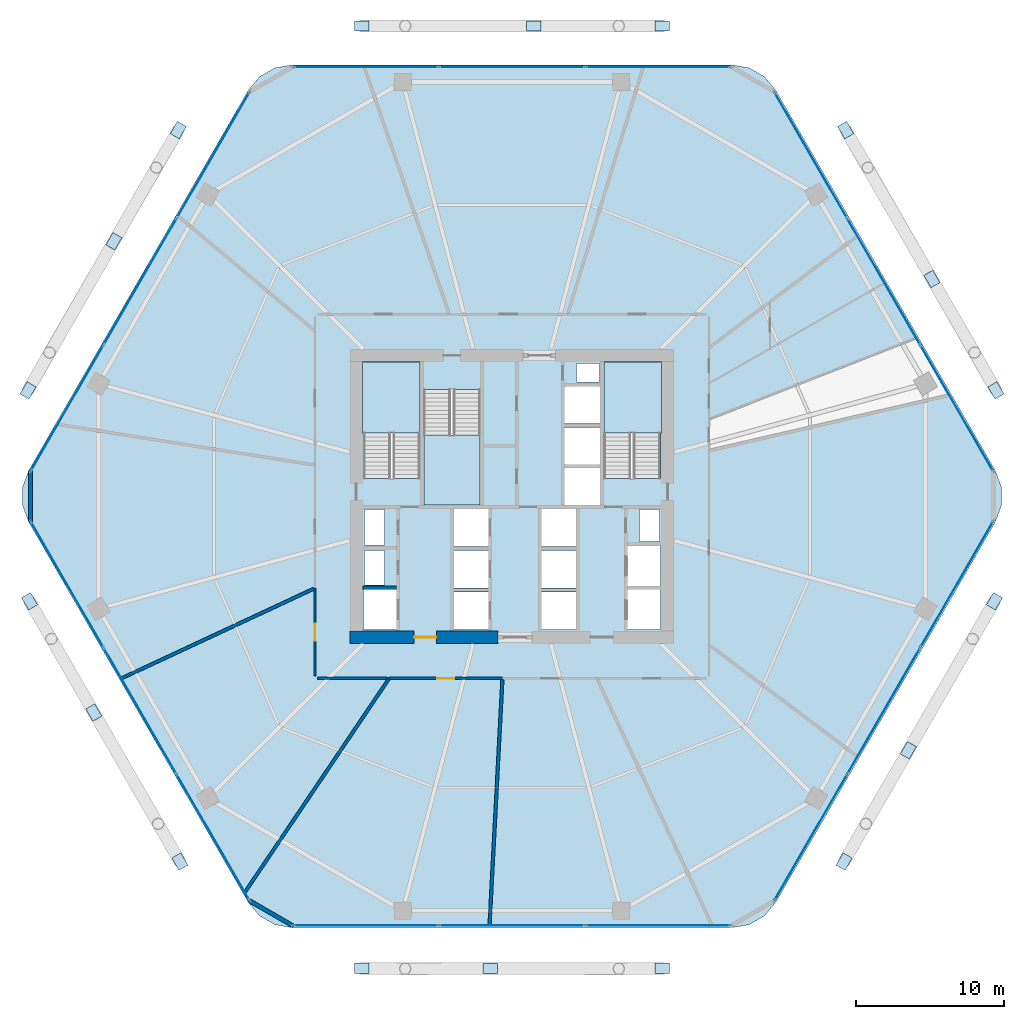
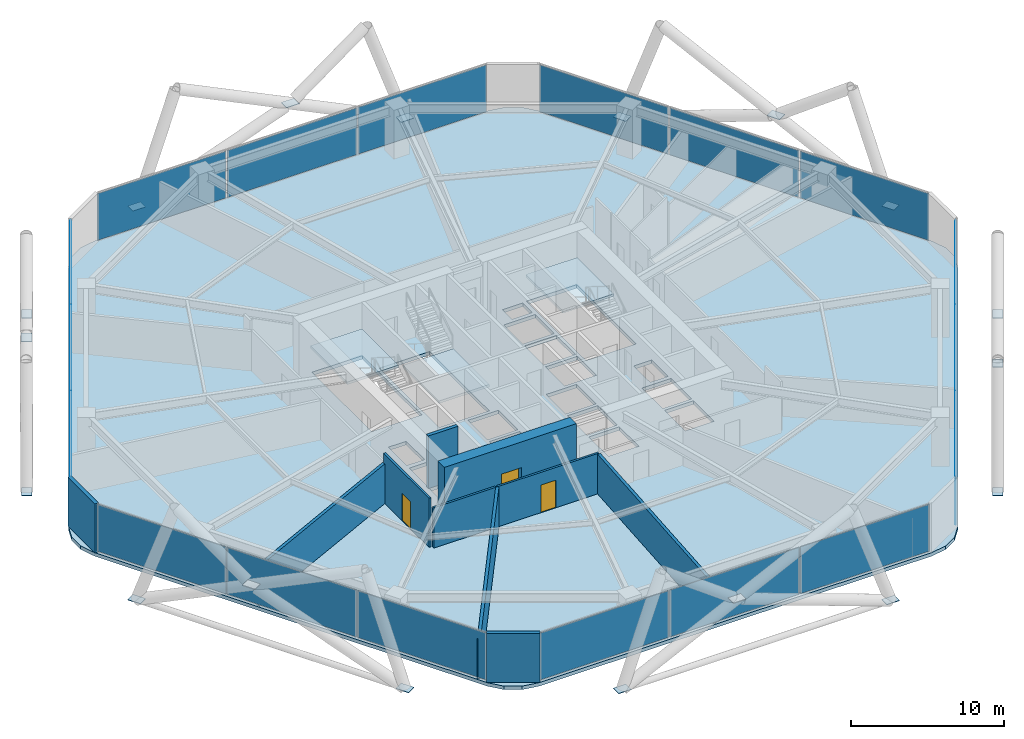
# One storey, part 25 of 29: 36 plates, 10 walls, 4 slabs, 3 doors, 3 openings, 9 elements without a shape of their own.
"""IFC4 building model written with IfcOpenShell, lengths in metres."""

from ifc_helpers import new_model, si_unit, direction, frame, frame_2d, origin, origin_2d, place, context, subcontext, project, spatial, polyline, rectangle, outline, extrude, material, layer, layer_set, type_object, element, fill, aggregate, save


model = new_model("IFC4")

# Units and contexts
model_context = context("Model", 3, precision=1e-05, world=origin(), true_north=direction((0.0, 1.0)))
body_context = subcontext(model_context, "Body", "Model", "MODEL_VIEW")
ifc_project = project(units=[si_unit("LENGTHUNIT", "METRE"), si_unit("AREAUNIT", "SQUARE_METRE"), si_unit("VOLUMEUNIT", "CUBIC_METRE"), si_unit("PLANEANGLEUNIT", "RADIAN"), si_unit("MASSUNIT", "GRAM", prefix="KILO")], contexts=[model_context])

# Site, building, storey
site_placement = place(None, origin())
site = spatial("IfcSite", under=ifc_project, at=site_placement, CompositionType="ELEMENT")
building_placement = place(site_placement, origin())
building = spatial("IfcBuilding", under=site, at=building_placement, Name="Zuhravey Tower", CompositionType="ELEMENT")
storey_placement = place(building_placement, frame((0.0, 0.0, 41.39990234375)))
storey = spatial("IfcBuildingStorey", under=building, at=storey_placement, Name="L10", CompositionType="ELEMENT", Elevation=41.39990234375)

# Curtain wall, plates
ifc_material_1 = material(Name="Thermally broken anodised aluminium", Category="aluminium")
curtain_wall_type = type_object("IfcCurtainWallType", Name="School Low-E Unitised Curtain Wall CW1", PredefinedType="NOTDEFINED", material=ifc_material_1)
curtain_wall_1_placement = place(storey_placement, origin())
curtain_wall_1 = element("IfcCurtainWall", 1, at=curtain_wall_1_placement, inside=storey, type_object=curtain_wall_type, Name="L10 CW1 CW-L10-F6-1", PredefinedType="NOTDEFINED")
ifc_material_2 = material(Name="Laminated acoustic low-E vision glass", Category="glass")
ifc_layer_1 = layer(ifc_material_2, 0.048095703125)
ifc_layer_set_1 = layer_set([ifc_layer_1], Name="Laminated acoustic low-E vision glass")
plate_type_1 = type_object("IfcPlateType", Name="Acoustic School Vision Panel", PredefinedType="CURTAIN_PANEL", material=ifc_layer_set_1)
plate_1_placement = place(storey_placement, frame((66.000732421875, 26.045654296875, 0.09033203125), z_axis=(0.0, 0.0, 1.0), x_axis=(-0.499999794119, -0.86602552265, 0.0)))
plate_1 = element("IfcPlate", 2, at=plate_1_placement, type_object=plate_type_1, Name="CW1 panel 1.1", PredefinedType="CURTAIN_PANEL", context=body_context, shape_type="SweptSolid", body=[
    extrude(rectangle(XDim=9.7314453125, YDim=0.048095703125, at=origin_2d()), origin(), (0.0, 0.0, 1.0), 3.739990234375),
])
plate_2_placement = place(storey_placement, frame((61.078857421875, 17.520751953125, 0.09033203125), z_axis=(0.0, 0.0, 1.0), x_axis=(-0.499999794119, -0.86602552265, 0.0)))
plate_2 = element("IfcPlate", 3, at=plate_2_placement, type_object=plate_type_1, Name="CW1 panel 2.1", PredefinedType="CURTAIN_PANEL", context=body_context, shape_type="SweptSolid", body=[
    extrude(rectangle(XDim=9.7763671875, YDim=0.048095703125, at=origin_2d()), origin(), (0.0, 0.0, 1.0), 3.739990234375),
])
plate_3_placement = place(storey_placement, frame((56.15673828125, 8.995849609375, 0.09033203125), z_axis=(0.0, 0.0, 1.0), x_axis=(-0.499999794119, -0.86602552265, 0.0)))
plate_3 = element("IfcPlate", 4, at=plate_3_placement, type_object=plate_type_1, Name="CW1 panel 3.1", PredefinedType="CURTAIN_PANEL", context=body_context, shape_type="SweptSolid", body=[
    extrude(rectangle(XDim=9.7314453125, YDim=0.048095703125, at=origin_2d()), origin(), (0.0, 0.0, 1.0), 3.739990234375),
])
aggregate(curtain_wall_1, [plate_1, plate_2, plate_3])

curtain_wall_2_placement = place(storey_placement, origin())
curtain_wall_2 = element("IfcCurtainWall", 5, at=curtain_wall_2_placement, inside=storey, type_object=curtain_wall_type, Name="L10 CW1 CW-L10-F5-1", PredefinedType="NOTDEFINED")
plate_4_placement = place(storey_placement, frame((45.84375, 3.04150390625, 0.09033203125), z_axis=(0.0, 0.0, 1.0), x_axis=(-1.0, 0.0, 0.0)))
plate_4 = element("IfcPlate", 6, at=plate_4_placement, type_object=plate_type_1, Name="CW1 panel 1.1", PredefinedType="CURTAIN_PANEL", context=body_context, shape_type="SweptSolid", body=[
    extrude(rectangle(XDim=9.7314453125, YDim=0.048095703125, at=origin_2d()), origin(), (0.0, 0.0, 1.0), 3.739990234375),
])
plate_5_placement = place(storey_placement, frame((36.0, 3.04150390625, 0.09033203125), z_axis=(0.0, 0.0, 1.0), x_axis=(-1.0, 0.0, 0.0)))
plate_5 = element("IfcPlate", 7, at=plate_5_placement, type_object=plate_type_1, Name="CW1 panel 2.1", PredefinedType="CURTAIN_PANEL", context=body_context, shape_type="SweptSolid", body=[
    extrude(rectangle(XDim=9.7763671875, YDim=0.048095703125, at=origin_2d()), origin(), (0.0, 0.0, 1.0), 3.739990234375),
])
plate_6_placement = place(storey_placement, frame((26.15625, 3.04150390625, 0.09033203125), z_axis=(0.0, 0.0, 1.0), x_axis=(-1.0, 0.0, 0.0)))
plate_6 = element("IfcPlate", 8, at=plate_6_placement, type_object=plate_type_1, Name="CW1 panel 3.1", PredefinedType="CURTAIN_PANEL", context=body_context, shape_type="SweptSolid", body=[
    extrude(rectangle(XDim=9.7314453125, YDim=0.048095703125, at=origin_2d()), origin(), (0.0, 0.0, 1.0), 3.739990234375),
])
aggregate(curtain_wall_2, [plate_4, plate_5, plate_6])

curtain_wall_3_placement = place(storey_placement, origin())
curtain_wall_3 = element("IfcCurtainWall", 9, at=curtain_wall_3_placement, inside=storey, type_object=curtain_wall_type, Name="L10 CW1 CW-L10-F4-1", PredefinedType="NOTDEFINED")
plate_7_placement = place(storey_placement, frame((15.84326171875, 8.995849609375, 0.09033203125), z_axis=(0.0, 0.0, 1.0), x_axis=(-0.499999794119, 0.86602552265, 0.0)))
plate_7 = element("IfcPlate", 10, at=plate_7_placement, type_object=plate_type_1, Name="CW1 panel 1.1", PredefinedType="CURTAIN_PANEL", context=body_context, shape_type="SweptSolid", body=[
    extrude(rectangle(XDim=9.7314453125, YDim=0.048095703125, at=origin_2d()), origin(), (0.0, 0.0, 1.0), 3.739990234375),
])
plate_8_placement = place(storey_placement, frame((10.921142578125, 17.520751953125, 0.09033203125), z_axis=(0.0, 0.0, 1.0), x_axis=(-0.499999794119, 0.86602552265, 0.0)))
plate_8 = element("IfcPlate", 11, at=plate_8_placement, type_object=plate_type_1, Name="CW1 panel 2.1", PredefinedType="CURTAIN_PANEL", context=body_context, shape_type="SweptSolid", body=[
    extrude(rectangle(XDim=9.7763671875, YDim=0.048095703125, at=origin_2d()), origin(), (0.0, 0.0, 1.0), 3.739990234375),
])
plate_9_placement = place(storey_placement, frame((5.999267578125, 26.045654296875, 0.09033203125), z_axis=(0.0, 0.0, 1.0), x_axis=(-0.499999794119, 0.86602552265, 0.0)))
plate_9 = element("IfcPlate", 12, at=plate_9_placement, type_object=plate_type_1, Name="CW1 panel 3.1", PredefinedType="CURTAIN_PANEL", context=body_context, shape_type="SweptSolid", body=[
    extrude(rectangle(XDim=9.7314453125, YDim=0.048095703125, at=origin_2d()), origin(), (0.0, 0.0, 1.0), 3.739990234375),
])
aggregate(curtain_wall_3, [plate_7, plate_8, plate_9])

curtain_wall_4_placement = place(storey_placement, origin())
curtain_wall_4 = element("IfcCurtainWall", 13, at=curtain_wall_4_placement, inside=storey, type_object=curtain_wall_type, Name="L10 CW1 CW-L10-F3-1", PredefinedType="NOTDEFINED")
plate_10_placement = place(storey_placement, frame((5.999267578125, 37.954345703125, 0.09033203125), z_axis=(0.0, 0.0, 1.0), x_axis=(0.499999794119, 0.86602552265, 0.0)))
plate_10 = element("IfcPlate", 14, at=plate_10_placement, type_object=plate_type_1, Name="CW1 panel 1.1", PredefinedType="CURTAIN_PANEL", context=body_context, shape_type="SweptSolid", body=[
    extrude(rectangle(XDim=9.7314453125, YDim=0.048095703125, at=origin_2d()), origin(), (0.0, 0.0, 1.0), 3.739990234375),
])
plate_11_placement = place(storey_placement, frame((10.921142578125, 46.479248046875, 0.09033203125), z_axis=(0.0, 0.0, 1.0), x_axis=(0.499999794119, 0.86602552265, 0.0)))
plate_11 = element("IfcPlate", 15, at=plate_11_placement, type_object=plate_type_1, Name="CW1 panel 2.1", PredefinedType="CURTAIN_PANEL", context=body_context, shape_type="SweptSolid", body=[
    extrude(rectangle(XDim=9.7763671875, YDim=0.048095703125, at=origin_2d()), origin(), (0.0, 0.0, 1.0), 3.739990234375),
])
plate_12_placement = place(storey_placement, frame((15.84326171875, 55.004150390625, 0.09033203125), z_axis=(0.0, 0.0, 1.0), x_axis=(0.499999794119, 0.86602552265, 0.0)))
plate_12 = element("IfcPlate", 16, at=plate_12_placement, type_object=plate_type_1, Name="CW1 panel 3.1", PredefinedType="CURTAIN_PANEL", context=body_context, shape_type="SweptSolid", body=[
    extrude(rectangle(XDim=9.7314453125, YDim=0.048095703125, at=origin_2d()), origin(), (0.0, 0.0, 1.0), 3.739990234375),
])
aggregate(curtain_wall_4, [plate_10, plate_11, plate_12])

curtain_wall_5_placement = place(storey_placement, origin())
curtain_wall_5 = element("IfcCurtainWall", 17, at=curtain_wall_5_placement, inside=storey, type_object=curtain_wall_type, Name="L10 CW1 CW-L10-F2-1", PredefinedType="NOTDEFINED")
plate_13_placement = place(storey_placement, frame((26.15625, 60.95849609375, 0.09033203125), z_axis=(0.0, 0.0, 1.0), x_axis=(1.0, 0.0, 0.0)))
plate_13 = element("IfcPlate", 18, at=plate_13_placement, type_object=plate_type_1, Name="CW1 panel 1.1", PredefinedType="CURTAIN_PANEL", context=body_context, shape_type="SweptSolid", body=[
    extrude(rectangle(XDim=9.7314453125, YDim=0.048095703125, at=origin_2d()), origin(), (0.0, 0.0, 1.0), 3.739990234375),
])
plate_14_placement = place(storey_placement, frame((36.0, 60.95849609375, 0.09033203125), z_axis=(0.0, 0.0, 1.0), x_axis=(1.0, 0.0, 0.0)))
plate_14 = element("IfcPlate", 19, at=plate_14_placement, type_object=plate_type_1, Name="CW1 panel 2.1", PredefinedType="CURTAIN_PANEL", context=body_context, shape_type="SweptSolid", body=[
    extrude(rectangle(XDim=9.7763671875, YDim=0.048095703125, at=origin_2d()), origin(), (0.0, 0.0, 1.0), 3.739990234375),
])
plate_15_placement = place(storey_placement, frame((45.84375, 60.95849609375, 0.09033203125), z_axis=(0.0, 0.0, 1.0), x_axis=(1.0, 0.0, 0.0)))
plate_15 = element("IfcPlate", 20, at=plate_15_placement, type_object=plate_type_1, Name="CW1 panel 3.1", PredefinedType="CURTAIN_PANEL", context=body_context, shape_type="SweptSolid", body=[
    extrude(rectangle(XDim=9.7314453125, YDim=0.048095703125, at=origin_2d()), origin(), (0.0, 0.0, 1.0), 3.739990234375),
])
aggregate(curtain_wall_5, [plate_13, plate_14, plate_15])

curtain_wall_6_placement = place(storey_placement, origin())
curtain_wall_6 = element("IfcCurtainWall", 21, at=curtain_wall_6_placement, inside=storey, type_object=curtain_wall_type, Name="L10 CW1 CW-L10-F1-1", PredefinedType="NOTDEFINED")
plate_16_placement = place(storey_placement, frame((56.15673828125, 55.004150390625, 0.09033203125), z_axis=(0.0, 0.0, 1.0), x_axis=(0.499999794119, -0.86602552265, 0.0)))
plate_16 = element("IfcPlate", 22, at=plate_16_placement, type_object=plate_type_1, Name="CW1 panel 1.1", PredefinedType="CURTAIN_PANEL", context=body_context, shape_type="SweptSolid", body=[
    extrude(rectangle(XDim=9.7314453125, YDim=0.048095703125, at=origin_2d()), origin(), (0.0, 0.0, 1.0), 3.739990234375),
])
plate_17_placement = place(storey_placement, frame((61.078857421875, 46.479248046875, 0.09033203125), z_axis=(0.0, 0.0, 1.0), x_axis=(0.499999794119, -0.86602552265, 0.0)))
plate_17 = element("IfcPlate", 23, at=plate_17_placement, type_object=plate_type_1, Name="CW1 panel 2.1", PredefinedType="CURTAIN_PANEL", context=body_context, shape_type="SweptSolid", body=[
    extrude(rectangle(XDim=9.7763671875, YDim=0.048095703125, at=origin_2d()), origin(), (0.0, 0.0, 1.0), 3.739990234375),
])
plate_18_placement = place(storey_placement, frame((66.000732421875, 37.954345703125, 0.09033203125), z_axis=(0.0, 0.0, 1.0), x_axis=(0.499999794119, -0.86602552265, 0.0)))
plate_18 = element("IfcPlate", 24, at=plate_18_placement, type_object=plate_type_1, Name="CW1 panel 3.1", PredefinedType="CURTAIN_PANEL", context=body_context, shape_type="SweptSolid", body=[
    extrude(rectangle(XDim=9.7314453125, YDim=0.048095703125, at=origin_2d()), origin(), (0.0, 0.0, 1.0), 3.739990234375),
])
aggregate(curtain_wall_6, [plate_16, plate_17, plate_18])

# Plates
ifc_material_3 = material(Name="Steel SM460", Category="steel")
ifc_layer_2 = layer(ifc_material_3, 0.0400390625)
ifc_layer_set_2 = layer_set([ifc_layer_2], Name="Steel SM460")
plate_type_2 = type_object("IfcPlateType", Name="Exoskeleton Zone 1 Node Plate ND1", PredefinedType="SHEET", material=ifc_layer_set_2)
for number, where, z_axis, x_axis, name in (
    (25, (68.641357421875, 39.140380859375, -0.513916015625), (0.0, 0.0, 1.0), (-0.5, 0.866025403784, 0.0), "L10 Exoskeleton Node Gusset L10-01"),
    (26, (58.50439453125, 56.697998046875, -0.513916015625), (0.0, 0.0, 1.0), (-0.5, 0.866025403784, 0.0), "L10 Exoskeleton Node Gusset L10-02"),
    (27, (46.13671875, 63.718505859375, -0.513916015625), (0.0, 0.0, 1.0), (-1.0, 0.0, 0.0), "L10 Exoskeleton Node Gusset L10-03"),
    (28, (25.86328125, 63.718505859375, -0.513916015625), (0.0, 0.0, 1.0), (-1.0, 0.0, 0.0), "L10 Exoskeleton Node Gusset L10-04"),
    (29, (13.49560546875, 56.697998046875, -0.513916015625), (0.0, 0.0, 1.0), (-0.5, -0.866025403784, 0.0), "L10 Exoskeleton Node Gusset L10-05"),
    (30, (3.358642578125, 39.140380859375, -0.513916015625), (0.0, 0.0, 1.0), (-0.5, -0.866025403784, 0.0), "L10 Exoskeleton Node Gusset L10-06"),
    (31, (3.462646484375, 24.91943359375, -0.513916015625), (0.0, 0.0, 1.0), (0.5, -0.866025403784, 0.0), "L10 Exoskeleton Node Gusset L10-07"),
    (32, (13.599365234375, 7.362060546875, -0.513916015625), (0.0, 0.0, 1.0), (0.5, -0.866025403784, 0.0), "L10 Exoskeleton Node Gusset L10-08"),
    (33, (25.86328125, 0.16162109375, -0.513916015625), (0.0, 0.0, 1.0), (1.0, 0.0, 0.0), "L10 Exoskeleton Node Gusset L10-09"),
    (34, (46.13671875, 0.16162109375, -0.513916015625), (0.0, 0.0, 1.0), (1.0, 0.0, 0.0), "L10 Exoskeleton Node Gusset L10-10"),
    (35, (58.400634765625, 7.362060546875, -0.513916015625), (0.0, 0.0, 1.0), (0.5, 0.866025403784, 0.0), "L10 Exoskeleton Node Gusset L10-11"),
    (36, (68.537353515625, 24.91943359375, -0.513916015625), (0.0, 0.0, 1.0), (0.5, 0.866025403784, 0.0), "L10 Exoskeleton Node Gusset L10-12"),
    (37, (64.32177734375, 46.65234375, 3.68603515625), (0.0, 0.0, 1.0), (-0.5, 0.866025403784, 0.0), "L10 Face 1 Diagrid X-Crossing Plate"),
    (38, (37.471435546875, 63.718505859375, 3.68603515625), (0.0, 0.0, 1.0), (-1.0, 0.0, 0.0), "L10 Face 2 Diagrid X-Crossing Plate"),
    (39, (9.14990234375, 49.201171875, 3.68603515625), (0.0, 0.0, 1.0), (-0.5, -0.866025403784, 0.0), "L10 Face 3 Diagrid X-Crossing Plate"),
    (40, (7.79541015625, 17.4150390625, 3.68603515625), (0.0, 0.0, 1.0), (0.5, -0.866025403784, 0.0), "L10 Face 4 Diagrid X-Crossing Plate"),
    (41, (34.528564453125, 0.146484375, 3.68603515625), (0.0, 0.0, 1.0), (1.0, 0.0, 0.0), "L10 Face 5 Diagrid X-Crossing Plate"),
    (42, (62.733154296875, 14.866455078125, 3.68603515625), (0.0, 0.0, 1.0), (0.5, 0.866025403784, 0.0), "L10 Face 6 Diagrid X-Crossing Plate"),
):
    element("IfcPlate", number, at=place(storey_placement, frame(where, z_axis=z_axis, x_axis=x_axis)), inside=storey, type_object=plate_type_2, Name=name, PredefinedType="SHEET", context=body_context, shape_type="SweptSolid", body=[
        extrude(rectangle(XDim=0.9599609375, YDim=0.699951171875, at=origin_2d()), origin(), (0.0, 0.0, 1.0), 0.0400390625),
    ])

# Slab
ifc_material_4 = material(Name="Concrete C50/60", Category="concrete")
ifc_layer_3 = layer(ifc_material_4, 0.280029296875)
ifc_layer_set_3 = layer_set([ifc_layer_3], Name="Concrete C50/60")
slab_type_1 = type_object("IfcSlabType", Name="School Composite Floor Slab 280", PredefinedType="FLOOR", material=ifc_layer_set_3)
slab_1_placement = place(storey_placement, frame((0.0, 0.0, -0.27978515625)))
element("IfcSlab", 43, at=slab_1_placement, inside=storey, type_object=slab_type_1, Name="L10 Floor Slab FS28", PredefinedType="FLOOR", context=body_context, shape_type="SweptSolid", body=[
    extrude(outline(polyline([(68.618408203125, 30.300048828125), (69.0224609375, 31.40966796875), (69.0224609375, 32.59033203125), (68.618408203125, 33.699951171875), (53.781494140625, 59.3984375), (53.0224609375, 60.302978515625), (52.0, 60.893310546875), (50.8369140625, 61.098388671875), (21.1630859375, 61.098388671875), (20.0, 60.893310546875), (18.9775390625, 60.302978515625), (18.218505859375, 59.3984375), (3.381591796875, 33.699951171875), (2.9775390625, 32.59033203125), (2.9775390625, 31.40966796875), (3.381591796875, 30.300048828125), (18.218505859375, 4.6015625), (18.9775390625, 3.697021484375), (20.0, 3.106689453125), (21.1630859375, 2.901611328125), (50.8369140625, 2.901611328125), (52.0, 3.106689453125), (53.0224609375, 3.697021484375), (53.781494140625, 4.6015625), (68.618408203125, 30.300048828125)]), holes=[polyline([(29.800048828125, 33.20068359375), (29.800048828125, 41.0), (26.0, 41.0), (26.0, 33.20068359375), (29.800048828125, 33.20068359375)]), polyline([(46.0, 33.20068359375), (46.0, 41.0), (42.199951171875, 41.0), (42.199951171875, 33.20068359375), (46.0, 33.20068359375)]), polyline([(30.050048828125, 39.199462890625), (30.050048828125, 31.39990234375), (33.85009765625, 31.39990234375), (33.85009765625, 39.199462890625), (30.050048828125, 39.199462890625)]), polyline([(32.10009765625, 23.0), (34.39990234375, 23.0), (34.39990234375, 25.550048828125), (32.10009765625, 25.550048828125), (32.10009765625, 23.0)]), polyline([(32.10009765625, 25.800048828125), (34.39990234375, 25.800048828125), (34.39990234375, 28.35009765625), (32.10009765625, 28.35009765625), (32.10009765625, 25.800048828125)]), polyline([(32.10009765625, 28.60009765625), (34.39990234375, 28.60009765625), (34.39990234375, 31.14990234375), (32.10009765625, 31.14990234375), (32.10009765625, 28.60009765625)]), polyline([(38.0, 23.0), (40.300048828125, 23.0), (40.300048828125, 25.550048828125), (38.0, 25.550048828125), (38.0, 23.0)]), polyline([(38.0, 25.800048828125), (40.300048828125, 25.800048828125), (40.300048828125, 28.35009765625), (38.0, 28.35009765625), (38.0, 25.800048828125)]), polyline([(38.0, 28.60009765625), (40.300048828125, 28.60009765625), (40.300048828125, 31.14990234375), (38.0, 31.14990234375), (38.0, 28.60009765625)]), polyline([(39.550048828125, 31.39990234375), (41.949951171875, 31.39990234375), (41.949951171875, 33.89990234375), (39.550048828125, 33.89990234375), (39.550048828125, 31.39990234375)]), polyline([(39.550048828125, 34.14990234375), (41.949951171875, 34.14990234375), (41.949951171875, 36.64990234375), (39.550048828125, 36.64990234375), (39.550048828125, 34.14990234375)]), polyline([(39.550048828125, 36.89990234375), (41.949951171875, 36.89990234375), (41.949951171875, 39.39990234375), (39.550048828125, 39.39990234375), (39.550048828125, 36.89990234375)]), polyline([(26.0, 23.0), (28.199951171875, 23.0), (28.199951171875, 25.699951171875), (26.0, 25.699951171875), (26.0, 23.0)]), polyline([(43.800048828125, 23.0), (46.0, 23.0), (46.0, 25.699951171875), (43.800048828125, 25.699951171875), (43.800048828125, 23.0)]), polyline([(43.800048828125, 25.949951171875), (46.0, 25.949951171875), (46.0, 28.64990234375), (43.800048828125, 28.64990234375), (43.800048828125, 25.949951171875)]), polyline([(26.050048828125, 26.0), (27.39990234375, 26.0), (27.39990234375, 28.35009765625), (26.050048828125, 28.35009765625), (26.050048828125, 26.0)]), polyline([(26.050048828125, 28.699951171875), (27.39990234375, 28.699951171875), (27.39990234375, 31.10009765625), (26.050048828125, 31.10009765625), (26.050048828125, 28.699951171875)]), polyline([(44.60009765625, 28.949951171875), (45.949951171875, 28.949951171875), (45.949951171875, 31.10009765625), (44.60009765625, 31.10009765625), (44.60009765625, 28.949951171875)]), polyline([(40.35009765625, 39.699951171875), (41.89990234375, 39.699951171875), (41.89990234375, 40.949951171875), (40.35009765625, 40.949951171875), (40.35009765625, 39.699951171875)])]), origin(), (0.0, 0.0, 1.0), 0.27978515625),
])

# Stair, slab
ifc_material_5 = material(Name="Concrete C40/50", Category="concrete")
stair_type = type_object("IfcStairType", Name="School Storey Stair Assembly 4200", PredefinedType="HALF_TURN_STAIR", material=ifc_material_5)
stair_1_placement = place(storey_placement, origin())
stair_1 = element("IfcStair", 44, at=stair_1_placement, inside=storey, type_object=stair_type, Name="L10 Core Exit Stair ST1", PredefinedType="HALF_TURN_STAIR")
ifc_layer_4 = layer(ifc_material_5, 0.199951171875)
ifc_layer_set_4 = layer_set([ifc_layer_4], Name="Concrete C40/50")
slab_type_2 = type_object("IfcSlabType", Name="Stair Landing Slab 200", PredefinedType="LANDING", material=ifc_layer_set_4)
slab_2_placement = place(storey_placement, frame((0.0, 0.0, 1.900146484375)))
slab_2 = element("IfcSlab", 45, at=slab_2_placement, type_object=slab_type_2, Name="ST1 landing 1", PredefinedType="LANDING", context=body_context, shape_type="SweptSolid", body=[
    extrude(outline(polyline([(29.800048828125, 36.280029296875), (29.800048828125, 41.072998046875), (25.927001953125, 41.072998046875), (25.927001953125, 36.280029296875), (29.800048828125, 36.280029296875)])), origin(), (0.0, 0.0, 1.0), 0.199951171875),
])
aggregate(stair_1, [slab_2])

stair_2_placement = place(storey_placement, origin())
stair_2 = element("IfcStair", 46, at=stair_2_placement, inside=storey, type_object=stair_type, Name="L10 Core Exit Stair ST2", PredefinedType="HALF_TURN_STAIR")
slab_3_placement = place(storey_placement, frame((0.0, 0.0, 1.900146484375)))
slab_3 = element("IfcSlab", 47, at=slab_3_placement, type_object=slab_type_2, Name="ST2 landing 1", PredefinedType="LANDING", context=body_context, shape_type="SweptSolid", body=[
    extrude(outline(polyline([(46.072998046875, 36.280029296875), (46.072998046875, 41.072998046875), (42.199951171875, 41.072998046875), (42.199951171875, 36.280029296875), (46.072998046875, 36.280029296875)])), origin(), (0.0, 0.0, 1.0), 0.199951171875),
])
aggregate(stair_2, [slab_3])

stair_3_placement = place(storey_placement, origin())
stair_3 = element("IfcStair", 48, at=stair_3_placement, inside=storey, type_object=stair_type, Name="L10 Core Exit Stair ST3", PredefinedType="HALF_TURN_STAIR")
slab_4_placement = place(storey_placement, frame((0.0, 0.0, 1.900146484375)))
slab_4 = element("IfcSlab", 49, at=slab_4_placement, type_object=slab_type_2, Name="ST3 landing 1", PredefinedType="LANDING", context=body_context, shape_type="SweptSolid", body=[
    extrude(outline(polyline([(30.050048828125, 36.1201171875), (30.050048828125, 31.39990234375), (33.85009765625, 31.39990234375), (33.85009765625, 36.1201171875), (30.050048828125, 36.1201171875)])), origin(), (0.0, 0.0, 1.0), 0.199951171875),
])
aggregate(stair_3, [slab_4])

# Wall, opening, door
ifc_material_6 = material(Name="Concrete C60/75", Category="concrete")
ifc_layer_5 = layer(ifc_material_6, 0.85009765625)
ifc_layer_set_5 = layer_set([ifc_layer_5], Name="Concrete C60/75")
wall_type_1 = type_object("IfcWallType", Name="Core Shear Wall 850", PredefinedType="SHEAR", material=ifc_layer_set_5)
wall_1_placement = place(storey_placement, frame((25.074951171875, 22.5, 0.0), z_axis=(0.0, 0.0, 1.0), x_axis=(1.0, 0.0, 0.0)))
wall_1 = element("IfcWall", 50, at=wall_1_placement, inside=storey, type_object=wall_type_1, Name="L10 South-West Core Shear Wall CW85", PredefinedType="SHEAR", context=body_context, shape_type="SweptSolid", body=[
    extrude(rectangle(XDim=9.97509765625, YDim=0.85009765625, at=frame_2d((4.987548828125, 0.0))), origin(), (0.0, 0.0, 1.0), 4.2001953125),
])
opening_1_placement = place(wall_1_placement, frame((4.324951171875, 0.0, 0.0)))
opening_1 = element("IfcOpeningElement", 51, at=opening_1_placement, cuts=wall_1, Name="Opening FFD1", PredefinedType="OPENING", context=body_context, shape_type="SweptSolid", body=[
    extrude(rectangle(XDim=1.5, YDim=2.14990234375, at=frame_2d((0.75, 1.074951171875))), frame((0.0, 0.43701171875, 0.0), z_axis=(0.0, -1.0, 0.0), x_axis=(1.0, 0.0, 0.0)), (0.0, 0.0, 1.0), 0.8740234375),
])
ifc_material_7 = material(Name="Galvanised fire-rated steel leaf", Category="steel")
door_type_1 = type_object("IfcDoorType", Name="Firefighting Lobby Double Door 1500x2150", OperationType="DOUBLE_DOOR_SINGLE_SWING", PredefinedType="DOOR", material=ifc_material_7)
door_1_placement = place(opening_1_placement, origin())
door_1 = element("IfcDoor", 52, at=door_1_placement, inside=storey, type_object=door_type_1, Name="L10 Firefighting Lobby West Door", OperationType="DOUBLE_DOOR_SINGLE_SWING", OverallHeight=2.14990234375, OverallWidth=1.5, PredefinedType="DOOR", context=body_context, shape_type="SweptSolid", body=[
    extrude(rectangle(XDim=1.5, YDim=2.14990234375, at=frame_2d((0.75, 1.074951171875))), frame((0.0, 0.02490234375, 0.0), z_axis=(0.0, -1.0, 0.0), x_axis=(1.0, 0.0, 0.0)), (0.0, 0.0, 1.0), 0.050048828125),
])
fill(opening_1, door_1)

ifc_material_8 = material(Name="Gypsum fire-rated stud partition")
ifc_layer_6 = layer(ifc_material_8, 0.159912109375)
ifc_layer_set_6 = layer_set([ifc_layer_6], Name="Gypsum fire-rated stud partition")
wall_type_2 = type_object("IfcWallType", Name="Corridor Fire Partition 160", PredefinedType="PARTITIONING", material=ifc_layer_set_6)
wall_2_placement = place(storey_placement, frame((22.715087890625, 25.80517578125, 0.0), z_axis=(0.0, 0.0, 1.0), x_axis=(0.0, -1.0, 0.0)))
wall_2 = element("IfcWall", 53, at=wall_2_placement, inside=storey, type_object=wall_type_2, Name="L10 IW16 Partition 028", PredefinedType="PARTITIONING", context=body_context, shape_type="SweptSolid", body=[
    extrude(rectangle(XDim=5.93017578125, YDim=0.159912109375, at=frame_2d((2.965087890625, 0.0))), origin(), (0.0, 0.0, 1.0), 3.920166015625),
])
opening_2_placement = place(wall_2_placement, frame((2.389892578125, 0.0, 0.0)))
opening_2 = element("IfcOpeningElement", 54, at=opening_2_placement, cuts=wall_2, Name="Opening CLD1", PredefinedType="OPENING", context=body_context, shape_type="SweptSolid", body=[
    extrude(rectangle(XDim=1.14990234375, YDim=2.199951171875, at=frame_2d((0.574951171875, 1.10009765625))), frame((0.0, 0.092041015625, 0.0), z_axis=(0.0, -1.0, 0.0), x_axis=(1.0, 0.0, 0.0)), (0.0, 0.0, 1.0), 0.183837890625),
])
ifc_material_9 = material(Name="Acoustic timber leaf with vision lite", Category="wood")
door_type_2 = type_object("IfcDoorType", Name="Classroom Acoustic Door 1150x2200", OperationType="NOTDEFINED", PredefinedType="DOOR", material=ifc_material_9)
door_2_placement = place(opening_2_placement, frame((1.14990234375, 0.0, 0.0), z_axis=(0.0, 0.0, 1.0), x_axis=(-1.0, 0.0, 0.0)))
door_2 = element("IfcDoor", 55, at=door_2_placement, inside=storey, type_object=door_type_2, Name="L10 Door 028.1", OperationType="SINGLE_SWING_RIGHT", OverallHeight=2.199951171875, OverallWidth=1.14990234375, PredefinedType="DOOR", context=body_context, shape_type="SweptSolid", body=[
    extrude(rectangle(XDim=1.14990234375, YDim=2.199951171875, at=frame_2d((0.574951171875, 1.10009765625))), frame((0.0, 0.02490234375, 0.0), z_axis=(0.0, -1.0, 0.0), x_axis=(1.0, 0.0, 0.0)), (0.0, 0.0, 1.0), 0.050048828125),
])
fill(opening_2, door_2)

wall_3_placement = place(storey_placement, frame((27.713623046875, 19.715087890625, 0.0), z_axis=(0.0, 0.0, 1.0), x_axis=(1.0, 0.0, 0.0)))
wall_3 = element("IfcWall", 56, at=wall_3_placement, inside=storey, type_object=wall_type_2, Name="L10 IW16 Partition 029", PredefinedType="PARTITIONING", context=body_context, shape_type="SweptSolid", body=[
    extrude(rectangle(XDim=7.642578125, YDim=0.159912109375, at=frame_2d((3.8212890625, 0.0))), origin(), (0.0, 0.0, 1.0), 3.22021484375),
])
opening_3_placement = place(wall_3_placement, frame((3.246337890625, 0.0, 0.0)))
opening_3 = element("IfcOpeningElement", 57, at=opening_3_placement, cuts=wall_3, Name="Opening CLD1", PredefinedType="OPENING", context=body_context, shape_type="SweptSolid", body=[
    extrude(rectangle(XDim=1.14990234375, YDim=2.199951171875, at=frame_2d((0.574951171875, 1.10009765625))), frame((0.0, 0.092041015625, 0.0), z_axis=(0.0, -1.0, 0.0), x_axis=(1.0, 0.0, 0.0)), (0.0, 0.0, 1.0), 0.183837890625),
])
door_3_placement = place(opening_3_placement, frame((1.14990234375, 0.0, 0.0), z_axis=(0.0, 0.0, 1.0), x_axis=(-1.0, 0.0, 0.0)))
door_3 = element("IfcDoor", 58, at=door_3_placement, inside=storey, type_object=door_type_2, Name="L10 Door 029.1", OperationType="SINGLE_SWING_LEFT", OverallHeight=2.199951171875, OverallWidth=1.14990234375, PredefinedType="DOOR", context=body_context, shape_type="SweptSolid", body=[
    extrude(rectangle(XDim=1.14990234375, YDim=2.199951171875, at=frame_2d((0.574951171875, 1.10009765625))), frame((0.0, 0.02490234375, 0.0), z_axis=(0.0, -1.0, 0.0), x_axis=(1.0, 0.0, 0.0)), (0.0, 0.0, 1.0), 0.050048828125),
])
fill(opening_3, door_3)

# Walls
wall_4_placement = place(storey_placement, frame((22.875, 19.715087890625, 0.0), z_axis=(0.0, 0.0, 1.0), x_axis=(1.0, 0.0, 0.0)))
element("IfcWall", 59, at=wall_4_placement, inside=storey, type_object=wall_type_2, Name="L10 IW16 Partition 055", PredefinedType="PARTITIONING", context=body_context, shape_type="SweptSolid", body=[
    extrude(rectangle(XDim=4.6962890625, YDim=0.159912109375, at=frame_2d((2.34814453125, 0.0))), origin(), (0.0, 0.0, 1.0), 3.22021484375),
])
ifc_material_10 = material(Name="Precast concrete C40/50", Category="concrete")
ifc_layer_7 = layer(ifc_material_10, 0.280029296875)
ifc_layer_set_7 = layer_set([ifc_layer_7], Name="Precast concrete C40/50")
wall_type_3 = type_object("IfcWallType", Name="Crown Architectural Wall 280", PredefinedType="SOLIDWALL", material=ifc_layer_set_7)
wall_5_placement = place(storey_placement, frame((21.28271484375, 2.993896484375, 0.0), z_axis=(0.0, 0.0, 1.0), x_axis=(-0.866007452331, 0.500031091541, 0.0)))
element("IfcWall", 60, at=wall_5_placement, inside=storey, type_object=wall_type_3, Name="L10 Rounded Corner Closure Wall EW28-04", PredefinedType="SOLIDWALL", context=body_context, shape_type="SweptSolid", body=[
    extrude(rectangle(XDim=3.514892578125, YDim=0.280029296875, at=frame_2d((1.75732421875, 0.0))), origin(), (0.0, 0.0, 1.0), 3.920166015625),
])
wall_6_placement = place(storey_placement, frame((3.521484375, 30.242431640625, 0.0), z_axis=(0.0, 0.0, 1.0), x_axis=(0.0, 1.0, 0.0)))
element("IfcWall", 61, at=wall_6_placement, inside=storey, type_object=wall_type_3, Name="L10 Rounded Corner Closure Wall EW28-06", PredefinedType="SOLIDWALL", context=body_context, shape_type="SweptSolid", body=[
    extrude(rectangle(XDim=3.51513671875, YDim=0.280029296875, at=frame_2d((1.757568359375, 0.0))), origin(), (0.0, 0.0, 1.0), 3.920166015625),
])
ifc_layer_8 = layer(ifc_material_4, 0.25)
ifc_layer_set_8 = layer_set([ifc_layer_8], Name="Concrete C50/60")
wall_type_4 = type_object("IfcWallType", Name="Firefighting Shaft & Stair Wall 250", PredefinedType="SOLIDWALL", material=ifc_layer_set_8)
wall_7_placement = place(storey_placement, frame((25.949951171875, 25.824951171875, 0.0), z_axis=(0.0, 0.0, 1.0), x_axis=(1.0, 0.0, 0.0)))
element("IfcWall", 62, at=wall_7_placement, inside=storey, type_object=wall_type_4, Name="L10 FW25 Shaft Wall 009", PredefinedType="SOLIDWALL", context=body_context, shape_type="SweptSolid", body=[
    extrude(rectangle(XDim=2.25, YDim=0.25, at=frame_2d((1.125, 0.0))), origin(), (0.0, 0.0, 1.0), 4.2001953125),
])
ifc_material_11 = material(Name="Gypsum acoustic stud assembly")
ifc_layer_9 = layer(ifc_material_11, 0.219970703125)
ifc_layer_set_9 = layer_set([ifc_layer_9], Name="Gypsum acoustic stud assembly")
wall_type_5 = type_object("IfcWallType", Name="School Acoustic Compartment Wall 220", PredefinedType="PARTITIONING", material=ifc_layer_set_9)
wall_8_placement = place(storey_placement, frame((22.626953125, 25.763916015625, 0.0), z_axis=(0.0, 0.0, 1.0), x_axis=(-0.906309468756, -0.422614655263, 0.0)))
element("IfcWall", 63, at=wall_8_placement, inside=storey, type_object=wall_type_5, Name="L10 IW22 Partition 053", PredefinedType="PARTITIONING", context=body_context, shape_type="SweptSolid", body=[
    extrude(rectangle(XDim=14.3134765625, YDim=0.219970703125, at=frame_2d((7.15673828125, 0.0))), origin(), (0.0, 0.0, 1.0), 3.170166015625),
])
wall_9_placement = place(storey_placement, frame((27.713623046875, 19.715087890625, 0.0), z_axis=(0.0, 0.0, 1.0), x_axis=(-0.559192578, -0.829037792088, 0.0)))
element("IfcWall", 64, at=wall_9_placement, inside=storey, type_object=wall_type_5, Name="L10 IW22 Partition 054", PredefinedType="PARTITIONING", context=body_context, shape_type="SweptSolid", body=[
    extrude(rectangle(XDim=17.40087890625, YDim=0.219970703125, at=frame_2d((8.700439453125, 0.0))), origin(), (0.0, 0.0, 1.0), 3.170166015625),
])
wall_10_placement = place(storey_placement, frame((35.3515625, 19.626953125, 0.0), z_axis=(0.0, 0.0, 1.0), x_axis=(-0.052331996973, -0.998629742243, 0.0)))
element("IfcWall", 65, at=wall_10_placement, inside=storey, type_object=wall_type_5, Name="L10 IW22 Partition 056", PredefinedType="PARTITIONING", context=body_context, shape_type="SweptSolid", body=[
    extrude(rectangle(XDim=16.608154296875, YDim=0.219970703125, at=frame_2d((8.30419921875, 0.0))), origin(), (0.0, 0.0, 1.0), 3.170166015625),
])

save(model, "model.ifc")
